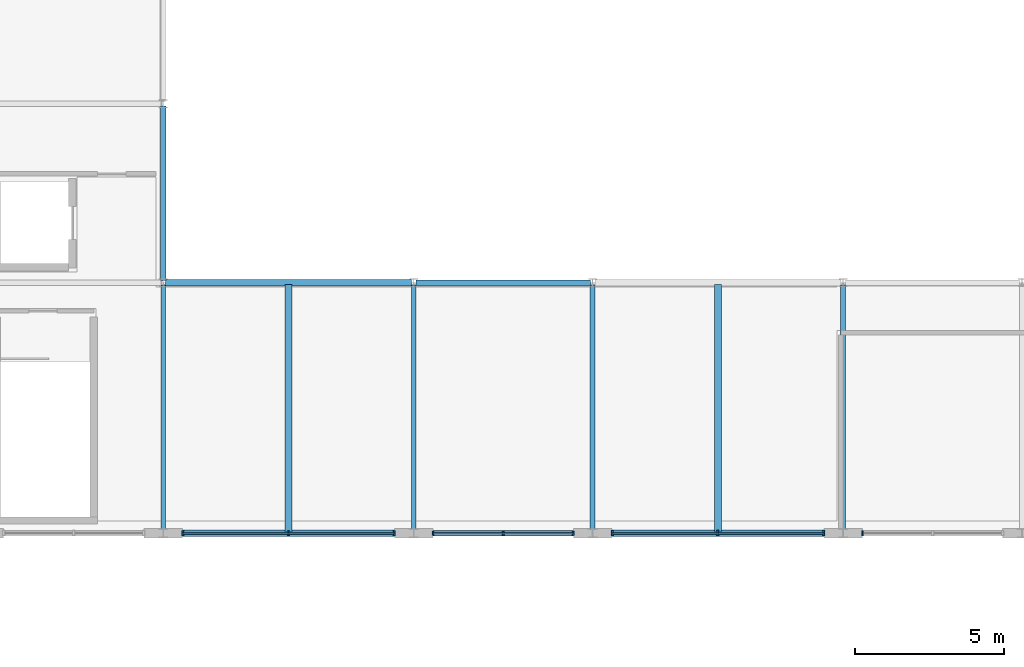
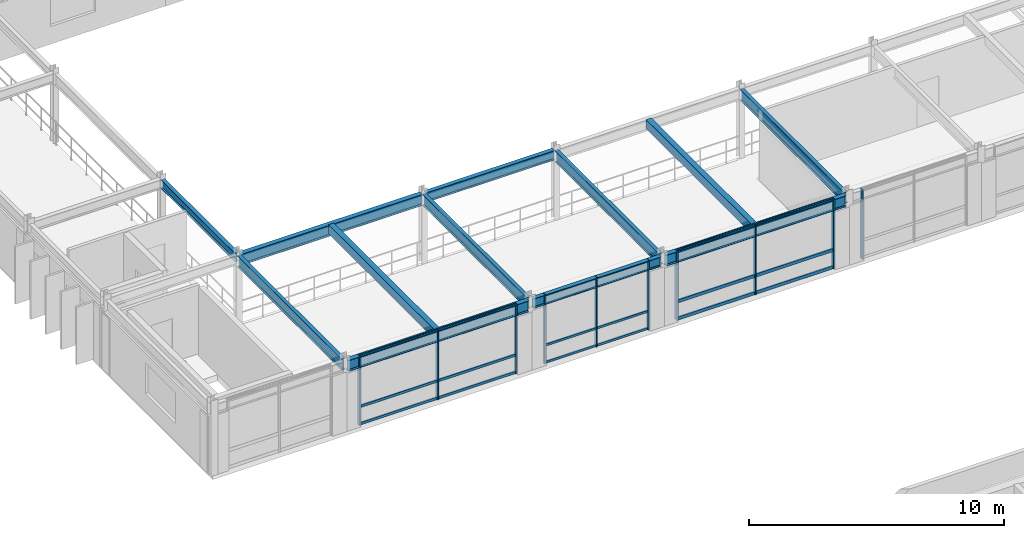
# One storey, part 20 of 88: 19 members, 12 beams, 4 elements without a shape of their own.
"""IFC4 building model written with IfcOpenShell, lengths in metres."""

from ifc_helpers import new_model, si_unit, direction, frame, origin, origin_2d, place, context, subcontext, project, spatial, rectangle, i_section, extrude, material, material_profile, profile_set, type_object, element, aggregate, save


model = new_model("IFC4")

# Units and contexts
model_context = context("Model", 3, precision=1e-05, world=origin(), true_north=direction((0.0, 1.0)))
body_context = subcontext(model_context, "Body", "Model", "MODEL_VIEW")
ifc_project = project(units=[si_unit("LENGTHUNIT", "METRE"), si_unit("AREAUNIT", "SQUARE_METRE"), si_unit("VOLUMEUNIT", "CUBIC_METRE"), si_unit("PLANEANGLEUNIT", "RADIAN"), si_unit("MASSUNIT", "GRAM", prefix="KILO"), si_unit("THERMODYNAMICTEMPERATUREUNIT", "KELVIN")], contexts=[model_context])

# Site, building, storey
site_placement = place(None, origin())
site = spatial("IfcSite", under=ifc_project, at=site_placement, CompositionType="ELEMENT")
building_placement = place(site_placement, origin())
building = spatial("IfcBuilding", under=site, at=building_placement, Name="Thalorik Housing Commons", CompositionType="ELEMENT")
storey_placement = place(building_placement, frame((0.0, 0.0, 4.5)))
storey = spatial("IfcBuildingStorey", under=building, at=storey_placement, Name="L01", CompositionType="ELEMENT", Elevation=4.5)

# Curtain wall, members
ifc_material_1 = material(Name="Anodised aluminium and solar-control low-E glass", Category="aluminium")
curtain_wall_type = type_object("IfcCurtainWallType", Name="ARC-CW-CIVIC", PredefinedType="USERDEFINED", material=ifc_material_1)
curtain_wall_1_placement = place(storey_placement, origin())
curtain_wall_1 = element("IfcCurtainWall", 1, at=curtain_wall_1_placement, inside=storey, type_object=curtain_wall_type, Name="L01 Curtain Wall CW-HALL-L01-215", ObjectType="CURTAIN WALL", PredefinedType="USERDEFINED")
ifc_material_2 = material(Name="Anodised aluminium 6063-T6", Category="aluminium")
ifc_material_profile_1 = material_profile(ifc_material_2, rectangle(XDim=0.054931640625, YDim=0.139892578125, at=origin_2d()), Name="ALU MUL 55x140", Category="aluminium")
ifc_profile_set_1 = profile_set([ifc_material_profile_1], Name="Anodised aluminium 6063-T6")
member_type_1 = type_object("IfcMemberType", Name="ARC-CW-MUL-55x140", PredefinedType="MULLION", material=ifc_profile_set_1)
member_1_placement = place(storey_placement, frame((81.050048828125, 57.60009765625, 0.0), z_axis=(0.0, 0.0, 1.0), x_axis=(1.0, 0.0, 0.0)))
member_1 = element("IfcMember", 2, at=member_1_placement, type_object=member_type_1, Name="CW-HALL-L01-215 Mullion 1", PredefinedType="MULLION", context=body_context, shape_type="SweptSolid", body=[
    extrude(rectangle(XDim=0.054931640625, YDim=0.139892578125, at=origin_2d()), origin(), (0.0, 0.0, 1.0), 3.340087890625),
])
member_2_placement = place(storey_placement, frame((83.39990234375, 57.60009765625, 0.0), z_axis=(0.0, 0.0, 1.0), x_axis=(1.0, 0.0, 0.0)))
member_2 = element("IfcMember", 3, at=member_2_placement, type_object=member_type_1, Name="CW-HALL-L01-215 Mullion 2", PredefinedType="MULLION", context=body_context, shape_type="SweptSolid", body=[
    extrude(rectangle(XDim=0.054931640625, YDim=0.139892578125, at=origin_2d()), origin(), (0.0, 0.0, 1.0), 3.340087890625),
])
member_3_placement = place(storey_placement, frame((85.75, 57.60009765625, 0.0), z_axis=(0.0, 0.0, 1.0), x_axis=(1.0, 0.0, 0.0)))
member_3 = element("IfcMember", 4, at=member_3_placement, type_object=member_type_1, Name="CW-HALL-L01-215 Mullion 3", PredefinedType="MULLION", context=body_context, shape_type="SweptSolid", body=[
    extrude(rectangle(XDim=0.054931640625, YDim=0.139892578125, at=origin_2d()), origin(), (0.0, 0.0, 1.0), 3.340087890625),
])

curtain_wall_2_placement = place(storey_placement, origin())
curtain_wall_2 = element("IfcCurtainWall", 5, at=curtain_wall_2_placement, inside=storey, type_object=curtain_wall_type, Name="L01 Curtain Wall CW-HALL-L01-214", ObjectType="CURTAIN WALL", PredefinedType="USERDEFINED")
ifc_material_profile_2 = material_profile(ifc_material_2, rectangle(XDim=0.06005859375, YDim=0.159912109375, at=origin_2d()), Name="ALU MUL 60x160", Category="aluminium")
ifc_profile_set_2 = profile_set([ifc_material_profile_2], Name="Anodised aluminium 6063-T6")
member_type_2 = type_object("IfcMemberType", Name="ARC-CW-MUL-60x160", PredefinedType="MULLION", material=ifc_profile_set_2)
member_4_placement = place(storey_placement, frame((72.64990234375, 57.60009765625, 0.0), z_axis=(0.0, 0.0, 1.0), x_axis=(1.0, 0.0, 0.0)))
member_4 = element("IfcMember", 6, at=member_4_placement, type_object=member_type_2, Name="CW-HALL-L01-214 Mullion 1", PredefinedType="MULLION", context=body_context, shape_type="SweptSolid", body=[
    extrude(rectangle(XDim=0.06005859375, YDim=0.159912109375, at=origin_2d()), origin(), (0.0, 0.0, 1.0), 3.340087890625),
])
member_5_placement = place(storey_placement, frame((76.199951171875, 57.60009765625, 0.0), z_axis=(0.0, 0.0, 1.0), x_axis=(1.0, 0.0, 0.0)))
member_5 = element("IfcMember", 7, at=member_5_placement, type_object=member_type_2, Name="CW-HALL-L01-214 Mullion 2", PredefinedType="MULLION", context=body_context, shape_type="SweptSolid", body=[
    extrude(rectangle(XDim=0.06005859375, YDim=0.159912109375, at=origin_2d()), origin(), (0.0, 0.0, 1.0), 3.340087890625),
])
member_6_placement = place(storey_placement, frame((79.75, 57.60009765625, 0.0), z_axis=(0.0, 0.0, 1.0), x_axis=(1.0, 0.0, 0.0)))
member_6 = element("IfcMember", 8, at=member_6_placement, type_object=member_type_2, Name="CW-HALL-L01-214 Mullion 3", PredefinedType="MULLION", context=body_context, shape_type="SweptSolid", body=[
    extrude(rectangle(XDim=0.06005859375, YDim=0.159912109375, at=origin_2d()), origin(), (0.0, 0.0, 1.0), 3.340087890625),
])

# Curtain wall, member
curtain_wall_3_placement = place(storey_placement, origin())
curtain_wall_3 = element("IfcCurtainWall", 9, at=curtain_wall_3_placement, inside=storey, type_object=curtain_wall_type, Name="L01 Curtain Wall CW-HALL-L01-217", ObjectType="CURTAIN WALL", PredefinedType="USERDEFINED")
member_7_placement = place(storey_placement, frame((95.449951171875, 57.60009765625, 0.0), z_axis=(0.0, 0.0, 1.0), x_axis=(1.0, 0.0, 0.0)))
member_7 = element("IfcMember", 10, at=member_7_placement, type_object=member_type_2, Name="CW-HALL-L01-217 Mullion 1", PredefinedType="MULLION", context=body_context, shape_type="SweptSolid", body=[
    extrude(rectangle(XDim=0.06005859375, YDim=0.159912109375, at=origin_2d()), origin(), (0.0, 0.0, 1.0), 3.340087890625),
])
aggregate(curtain_wall_3, [member_7])

# Curtain wall, members
curtain_wall_4_placement = place(storey_placement, origin())
curtain_wall_4 = element("IfcCurtainWall", 11, at=curtain_wall_4_placement, inside=storey, type_object=curtain_wall_type, Name="L01 Curtain Wall CW-HALL-L01-216", ObjectType="CURTAIN WALL", PredefinedType="USERDEFINED")
ifc_material_profile_3 = material_profile(ifc_material_2, rectangle(XDim=0.06494140625, YDim=0.179931640625, at=origin_2d()), Name="ALU MUL 65x180", Category="aluminium")
ifc_profile_set_3 = profile_set([ifc_material_profile_3], Name="Anodised aluminium 6063-T6")
member_type_3 = type_object("IfcMemberType", Name="ARC-CW-MUL-65x180", PredefinedType="MULLION", material=ifc_profile_set_3)
member_8_placement = place(storey_placement, frame((87.050048828125, 57.60009765625, 0.0), z_axis=(0.0, 0.0, 1.0), x_axis=(1.0, 0.0, 0.0)))
member_8 = element("IfcMember", 12, at=member_8_placement, type_object=member_type_3, Name="CW-HALL-L01-216 Mullion 1", PredefinedType="MULLION", context=body_context, shape_type="SweptSolid", body=[
    extrude(rectangle(XDim=0.06494140625, YDim=0.179931640625, at=origin_2d()), origin(), (0.0, 0.0, 1.0), 3.340087890625),
])
member_9_placement = place(storey_placement, frame((90.60009765625, 57.60009765625, 0.0), z_axis=(0.0, 0.0, 1.0), x_axis=(1.0, 0.0, 0.0)))
member_9 = element("IfcMember", 13, at=member_9_placement, type_object=member_type_3, Name="CW-HALL-L01-216 Mullion 2", PredefinedType="MULLION", context=body_context, shape_type="SweptSolid", body=[
    extrude(rectangle(XDim=0.06494140625, YDim=0.179931640625, at=origin_2d()), origin(), (0.0, 0.0, 1.0), 3.340087890625),
])
member_10_placement = place(storey_placement, frame((94.14990234375, 57.60009765625, 0.0), z_axis=(0.0, 0.0, 1.0), x_axis=(1.0, 0.0, 0.0)))
member_10 = element("IfcMember", 14, at=member_10_placement, type_object=member_type_3, Name="CW-HALL-L01-216 Mullion 3", PredefinedType="MULLION", context=body_context, shape_type="SweptSolid", body=[
    extrude(rectangle(XDim=0.06494140625, YDim=0.179931640625, at=origin_2d()), origin(), (0.0, 0.0, 1.0), 3.340087890625),
])

# Member
ifc_material_profile_4 = material_profile(ifc_material_2, rectangle(XDim=0.054931640625, YDim=0.10498046875, at=origin_2d()), Name="ALU TRN 55x105", Category="aluminium")
ifc_profile_set_4 = profile_set([ifc_material_profile_4], Name="Anodised aluminium 6063-T6")
member_type_4 = type_object("IfcMemberType", Name="ARC-CW-TRN-55x105", PredefinedType="USERDEFINED", material=ifc_profile_set_4)
member_11_placement = place(storey_placement, frame((81.050048828125, 57.60009765625, 0.054931640625), z_axis=(1.0, 0.0, 0.0), x_axis=(0.0, 1.0, 0.0)))
member_11 = element("IfcMember", 15, at=member_11_placement, type_object=member_type_4, Name="CW-HALL-L01-215 Transom 1", ObjectType="TRANSOM", PredefinedType="USERDEFINED", context=body_context, shape_type="SweptSolid", body=[
    extrude(rectangle(XDim=0.054931640625, YDim=0.10498046875, at=origin_2d()), origin(), (0.0, 0.0, 1.0), 4.699951171875),
])

member_12_placement = place(storey_placement, frame((81.050048828125, 57.60009765625, 0.8798828125), z_axis=(1.0, 0.0, 0.0), x_axis=(0.0, 1.0, 0.0)))
member_12 = element("IfcMember", 16, at=member_12_placement, type_object=member_type_4, Name="CW-HALL-L01-215 Transom 2", ObjectType="TRANSOM", PredefinedType="USERDEFINED", context=body_context, shape_type="SweptSolid", body=[
    extrude(rectangle(XDim=0.054931640625, YDim=0.10498046875, at=origin_2d()), origin(), (0.0, 0.0, 1.0), 4.699951171875),
])

member_13_placement = place(storey_placement, frame((81.050048828125, 57.60009765625, 3.284912109375), z_axis=(1.0, 0.0, 0.0), x_axis=(0.0, 1.0, 0.0)))
member_13 = element("IfcMember", 17, at=member_13_placement, type_object=member_type_4, Name="CW-HALL-L01-215 Transom 3", ObjectType="TRANSOM", PredefinedType="USERDEFINED", context=body_context, shape_type="SweptSolid", body=[
    extrude(rectangle(XDim=0.054931640625, YDim=0.10498046875, at=origin_2d()), origin(), (0.0, 0.0, 1.0), 4.699951171875),
])

aggregate(curtain_wall_1, [member_1, member_2, member_3, member_11, member_12, member_13])

ifc_material_profile_5 = material_profile(ifc_material_2, rectangle(XDim=0.06005859375, YDim=0.1201171875, at=origin_2d()), Name="ALU TRN 60x120", Category="aluminium")
ifc_profile_set_5 = profile_set([ifc_material_profile_5], Name="Anodised aluminium 6063-T6")
member_type_5 = type_object("IfcMemberType", Name="ARC-CW-TRN-60x120", PredefinedType="USERDEFINED", material=ifc_profile_set_5)
member_14_placement = place(storey_placement, frame((72.64990234375, 57.60009765625, 0.054931640625), z_axis=(1.0, 0.0, 0.0), x_axis=(0.0, 1.0, 0.0)))
member_14 = element("IfcMember", 18, at=member_14_placement, type_object=member_type_5, Name="CW-HALL-L01-214 Transom 1", ObjectType="TRANSOM", PredefinedType="USERDEFINED", context=body_context, shape_type="SweptSolid", body=[
    extrude(rectangle(XDim=0.06005859375, YDim=0.1201171875, at=origin_2d()), origin(), (0.0, 0.0, 1.0), 7.10009765625),
])

member_15_placement = place(storey_placement, frame((72.64990234375, 57.60009765625, 0.8798828125), z_axis=(1.0, 0.0, 0.0), x_axis=(0.0, 1.0, 0.0)))
member_15 = element("IfcMember", 19, at=member_15_placement, type_object=member_type_5, Name="CW-HALL-L01-214 Transom 2", ObjectType="TRANSOM", PredefinedType="USERDEFINED", context=body_context, shape_type="SweptSolid", body=[
    extrude(rectangle(XDim=0.06005859375, YDim=0.1201171875, at=origin_2d()), origin(), (0.0, 0.0, 1.0), 7.10009765625),
])

member_16_placement = place(storey_placement, frame((72.64990234375, 57.60009765625, 3.284912109375), z_axis=(1.0, 0.0, 0.0), x_axis=(0.0, 1.0, 0.0)))
member_16 = element("IfcMember", 20, at=member_16_placement, type_object=member_type_5, Name="CW-HALL-L01-214 Transom 3", ObjectType="TRANSOM", PredefinedType="USERDEFINED", context=body_context, shape_type="SweptSolid", body=[
    extrude(rectangle(XDim=0.06005859375, YDim=0.1201171875, at=origin_2d()), origin(), (0.0, 0.0, 1.0), 7.10009765625),
])

aggregate(curtain_wall_2, [member_4, member_5, member_6, member_14, member_15, member_16])

ifc_material_profile_6 = material_profile(ifc_material_2, rectangle(XDim=0.06494140625, YDim=0.14990234375, at=origin_2d()), Name="ALU TRN 65x150", Category="aluminium")
ifc_profile_set_6 = profile_set([ifc_material_profile_6], Name="Anodised aluminium 6063-T6")
member_type_6 = type_object("IfcMemberType", Name="ARC-CW-TRN-65x150", PredefinedType="USERDEFINED", material=ifc_profile_set_6)
member_17_placement = place(storey_placement, frame((87.050048828125, 57.60009765625, 0.054931640625), z_axis=(1.0, 0.0, 0.0), x_axis=(0.0, 1.0, 0.0)))
member_17 = element("IfcMember", 21, at=member_17_placement, type_object=member_type_6, Name="CW-HALL-L01-216 Transom 1", ObjectType="TRANSOM", PredefinedType="USERDEFINED", context=body_context, shape_type="SweptSolid", body=[
    extrude(rectangle(XDim=0.06494140625, YDim=0.14990234375, at=origin_2d()), origin(), (0.0, 0.0, 1.0), 7.099853515625),
])

member_18_placement = place(storey_placement, frame((87.050048828125, 57.60009765625, 0.8798828125), z_axis=(1.0, 0.0, 0.0), x_axis=(0.0, 1.0, 0.0)))
member_18 = element("IfcMember", 22, at=member_18_placement, type_object=member_type_6, Name="CW-HALL-L01-216 Transom 2", ObjectType="TRANSOM", PredefinedType="USERDEFINED", context=body_context, shape_type="SweptSolid", body=[
    extrude(rectangle(XDim=0.06494140625, YDim=0.14990234375, at=origin_2d()), origin(), (0.0, 0.0, 1.0), 7.099853515625),
])

member_19_placement = place(storey_placement, frame((87.050048828125, 57.60009765625, 3.284912109375), z_axis=(1.0, 0.0, 0.0), x_axis=(0.0, 1.0, 0.0)))
member_19 = element("IfcMember", 23, at=member_19_placement, type_object=member_type_6, Name="CW-HALL-L01-216 Transom 3", ObjectType="TRANSOM", PredefinedType="USERDEFINED", context=body_context, shape_type="SweptSolid", body=[
    extrude(rectangle(XDim=0.06494140625, YDim=0.14990234375, at=origin_2d()), origin(), (0.0, 0.0, 1.0), 7.099853515625),
])

aggregate(curtain_wall_4, [member_8, member_9, member_10, member_17, member_18, member_19])

# Beams
ifc_material_3 = material(Name="Steel S355", Category="steel")
ifc_material_profile_7 = material_profile(ifc_material_3, i_section(OverallWidth=0.179931640625, OverallDepth=0.4130859375, WebThickness=0.009765625, FlangeThickness=0.01611328125, FilletRadius=0.010986328125, at=origin_2d()), Name="W410x75", Category="steel")
ifc_profile_set_7 = profile_set([ifc_material_profile_7], Name="Steel S355")
beam_type_1 = type_object("IfcBeamType", Name="STR-BM-W410x75", PredefinedType="BEAM", material=ifc_profile_set_7)
beam_1_placement = place(storey_placement, frame((72.0, 66.076904296875, 3.133544921875), z_axis=(0.0, 1.0, 0.0), x_axis=(-1.0, 0.0, 0.0)))
element("IfcBeam", 24, at=beam_1_placement, inside=storey, type_object=beam_type_1, Name="L01 Beam SB-410", PredefinedType="BEAM", context=body_context, shape_type="SweptSolid", body=[
    extrude(i_section(OverallWidth=0.179931640625, OverallDepth=0.4130859375, WebThickness=0.009765625, FlangeThickness=0.01611328125, FilletRadius=0.010986328125, at=origin_2d()), origin(), (0.0, 0.0, 1.0), 5.84619140625),
])
ifc_material_profile_8 = material_profile(ifc_material_3, i_section(OverallWidth=0.19189453125, OverallDepth=0.462890625, WebThickness=0.010498046875, FlangeThickness=0.017578125, FilletRadius=0.011962890625, at=origin_2d()), Name="W460x89", Category="steel")
ifc_profile_set_8 = profile_set([ifc_material_profile_8], Name="Steel S355")
beam_type_2 = type_object("IfcBeamType", Name="STR-BM-W460x89", PredefinedType="BEAM", material=ifc_profile_set_8)
beam_2_placement = place(storey_placement, frame((80.5048828125, 57.60009765625, 3.1083984375), z_axis=(1.0, 0.0, 0.0), x_axis=(0.0, 1.0, 0.0)))
element("IfcBeam", 25, at=beam_2_placement, inside=storey, type_object=beam_type_2, Name="L01 Beam SB-460", PredefinedType="BEAM", context=body_context, shape_type="SweptSolid", body=[
    extrude(i_section(OverallWidth=0.19189453125, OverallDepth=0.462890625, WebThickness=0.010498046875, FlangeThickness=0.017578125, FilletRadius=0.011962890625, at=origin_2d()), origin(), (0.0, 0.0, 1.0), 5.7900390625),
])
beam_3_placement = place(storey_placement, frame((80.47998046875, 66.0, 3.1083984375), z_axis=(1.0, 0.0, 0.0), x_axis=(0.0, 1.0, 0.0)))
element("IfcBeam", 26, at=beam_3_placement, inside=storey, type_object=beam_type_2, Name="L01 Beam SB-460", PredefinedType="BEAM", context=body_context, shape_type="SweptSolid", body=[
    extrude(i_section(OverallWidth=0.19189453125, OverallDepth=0.462890625, WebThickness=0.010498046875, FlangeThickness=0.017578125, FilletRadius=0.011962890625, at=origin_2d()), origin(), (0.0, 0.0, 1.0), 5.840087890625),
])
ifc_material_profile_9 = material_profile(ifc_material_3, i_section(OverallWidth=0.2109375, OverallDepth=0.5390625, WebThickness=0.01171875, FlangeThickness=0.018798828125, FilletRadius=0.012939453125, at=origin_2d()), Name="W530x109", Category="steel")
ifc_profile_set_9 = profile_set([ifc_material_profile_9], Name="Steel S355")
beam_type_3 = type_object("IfcBeamType", Name="STR-BM-W530x109", PredefinedType="BEAM", material=ifc_profile_set_9)
beam_4_placement = place(storey_placement, frame((72.10498046875, 57.60009765625, 3.070556640625), z_axis=(1.0, 0.0, 0.0), x_axis=(0.0, 1.0, 0.0)))
element("IfcBeam", 27, at=beam_4_placement, inside=storey, type_object=beam_type_3, Name="L01 Beam SB-530", PredefinedType="BEAM", context=body_context, shape_type="SweptSolid", body=[
    extrude(i_section(OverallWidth=0.2109375, OverallDepth=0.5390625, WebThickness=0.01171875, FlangeThickness=0.018798828125, FilletRadius=0.012939453125, at=origin_2d()), origin(), (0.0, 0.0, 1.0), 8.18994140625),
])
beam_5_placement = place(storey_placement, frame((86.5048828125, 57.60009765625, 3.070556640625), z_axis=(1.0, 0.0, 0.0), x_axis=(0.0, 1.0, 0.0)))
element("IfcBeam", 28, at=beam_5_placement, inside=storey, type_object=beam_type_3, Name="L01 Beam SB-530", PredefinedType="BEAM", context=body_context, shape_type="SweptSolid", body=[
    extrude(i_section(OverallWidth=0.2109375, OverallDepth=0.5390625, WebThickness=0.01171875, FlangeThickness=0.018798828125, FilletRadius=0.012939453125, at=origin_2d()), origin(), (0.0, 0.0, 1.0), 8.190185546875),
])
beam_6_placement = place(storey_placement, frame((72.080078125, 66.0, 3.070556640625), z_axis=(1.0, 0.0, 0.0), x_axis=(0.0, 1.0, 0.0)))
element("IfcBeam", 29, at=beam_6_placement, inside=storey, type_object=beam_type_3, Name="L01 Beam SB-530", PredefinedType="BEAM", context=body_context, shape_type="SweptSolid", body=[
    extrude(i_section(OverallWidth=0.2109375, OverallDepth=0.5390625, WebThickness=0.01171875, FlangeThickness=0.018798828125, FilletRadius=0.012939453125, at=origin_2d()), origin(), (0.0, 0.0, 1.0), 8.239990234375),
])
ifc_material_profile_10 = material_profile(ifc_material_3, i_section(OverallWidth=0.166015625, OverallDepth=0.534912109375, WebThickness=0.01025390625, FlangeThickness=0.0166015625, FilletRadius=0.012939453125, at=origin_2d()), Name="W530x85", Category="steel")
ifc_profile_set_10 = profile_set([ifc_material_profile_10], Name="Steel S355")
beam_type_4 = type_object("IfcBeamType", Name="STR-BM-W530x85", PredefinedType="BEAM", material=ifc_profile_set_10)
for number, where, z_axis, x_axis, name in (
    (30, (72.0, 57.7041015625, 3.072509765625), (0.0, 1.0, 0.0), (-1.0, 0.0, 0.0), "L01 Beam SB-535"),
    (31, (80.39990234375, 57.7041015625, 3.072509765625), (0.0, 1.0, 0.0), (-1.0, 0.0, 0.0), "L01 Beam SB-535"),
    (32, (86.39990234375, 57.7041015625, 3.072509765625), (0.0, 1.0, 0.0), (-1.0, 0.0, 0.0), "L01 Beam SB-535"),
    (33, (94.800048828125, 57.7041015625, 3.072509765625), (0.0, 1.0, 0.0), (-1.0, 0.0, 0.0), "L01 Beam SB-535"),
):
    element("IfcBeam", number, at=place(storey_placement, frame(where, z_axis=z_axis, x_axis=x_axis)), inside=storey, type_object=beam_type_4, Name=name, PredefinedType="BEAM", context=body_context, shape_type="SweptSolid", body=[
        extrude(i_section(OverallWidth=0.166015625, OverallDepth=0.534912109375, WebThickness=0.01025390625, FlangeThickness=0.0166015625, FilletRadius=0.012939453125, at=origin_2d()), origin(), (0.0, 0.0, 1.0), 8.218994140625),
    ])
ifc_material_4 = material(Name="Precast concrete C40/50", Category="concrete")
ifc_material_profile_11 = material_profile(ifc_material_4, rectangle(XDim=0.239990234375, YDim=0.43994140625, at=origin_2d()), Name="PC JST 240x440", Category="concrete")
ifc_profile_set_11 = profile_set([ifc_material_profile_11], Name="Precast concrete C40/50")
beam_type_5 = type_object("IfcBeamType", Name="STR-JST-PC240x440", PredefinedType="JOIST", material=ifc_profile_set_11)
for number, where, z_axis, x_axis, name in (
    (34, (76.199951171875, 57.655517578125, 3.1201171875), (0.0, 1.0, 0.0), (-1.0, 0.0, 0.0), "L01 Beam J-440"),
    (35, (90.60009765625, 57.655517578125, 3.1201171875), (0.0, 1.0, 0.0), (-1.0, 0.0, 0.0), "L01 Beam J-440"),
):
    element("IfcBeam", number, at=place(storey_placement, frame(where, z_axis=z_axis, x_axis=x_axis)), inside=storey, type_object=beam_type_5, Name=name, PredefinedType="JOIST", context=body_context, shape_type="SweptSolid", body=[
        extrude(rectangle(XDim=0.239990234375, YDim=0.43994140625, at=origin_2d()), origin(), (0.0, 0.0, 1.0), 8.2890625),
    ])

save(model, "model.ifc")
